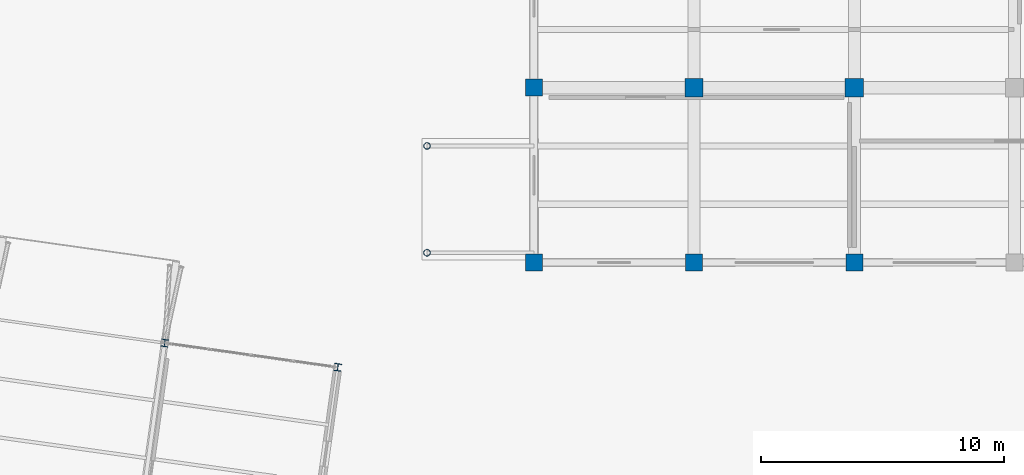
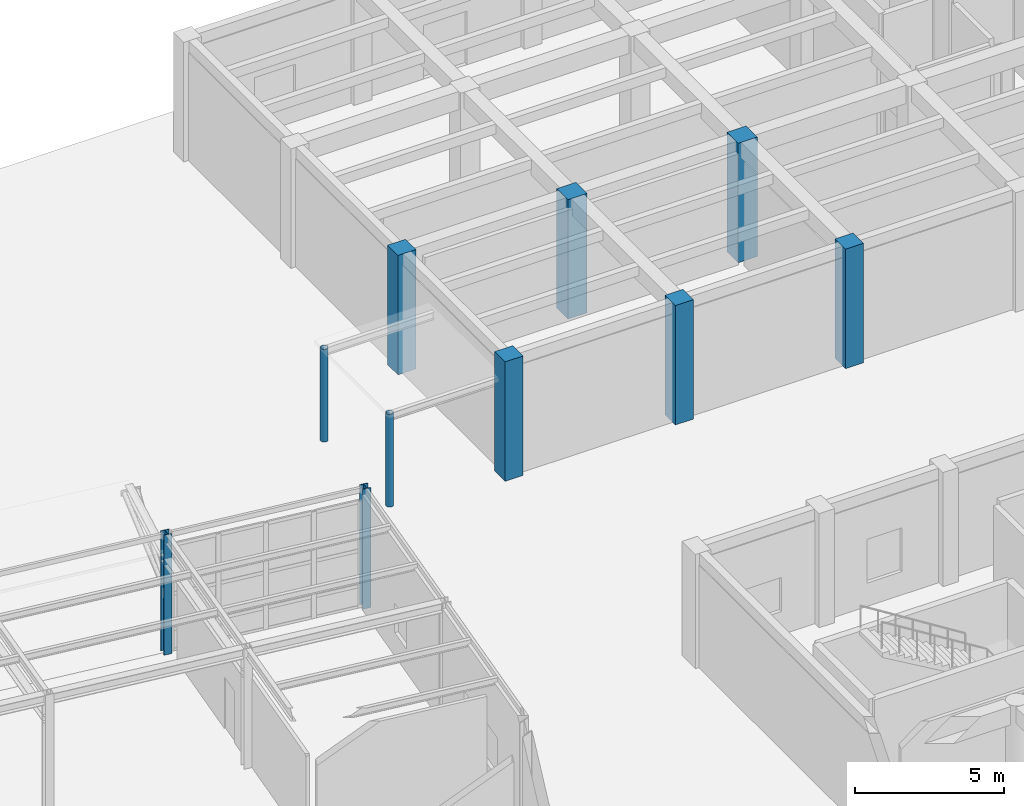
# One storey, part 9 of 57: 10 columns.
"""IFC4 building model written with IfcOpenShell, lengths in metres."""

from ifc_helpers import new_model, si_unit, direction, frame, origin, origin_2d, place, context, subcontext, project, spatial, rectangle, hollow_circle, i_section, extrude, material, material_profile, profile_set, type_object, element, save


model = new_model("IFC4")

# Units and contexts
model_context = context("Model", 3, precision=1e-05, world=origin(), true_north=direction((0.0, 1.0)))
body_context = subcontext(model_context, "Body", "Model", "MODEL_VIEW")
ifc_project = project(units=[si_unit("LENGTHUNIT", "METRE"), si_unit("AREAUNIT", "SQUARE_METRE"), si_unit("VOLUMEUNIT", "CUBIC_METRE"), si_unit("PLANEANGLEUNIT", "RADIAN"), si_unit("MASSUNIT", "GRAM", prefix="KILO")], contexts=[model_context])

# Site, building, storey
site_placement = place(None, origin())
site = spatial("IfcSite", under=ifc_project, at=site_placement, CompositionType="ELEMENT")
building_placement = place(site_placement, origin())
building = spatial("IfcBuilding", under=site, at=building_placement, Name="Kharisveld Research Institute", CompositionType="ELEMENT")
storey_placement = place(building_placement, origin())
storey = spatial("IfcBuildingStorey", under=building, at=storey_placement, Name="L00", CompositionType="ELEMENT", Elevation=0.0)

# Columns
ifc_material_1 = material(Name="Concrete C40/50", Category="concrete")
ifc_material_profile_1 = material_profile(ifc_material_1, rectangle(XDim=0.699951171875, YDim=0.699951171875, at=origin_2d()))
ifc_profile_set_1 = profile_set([ifc_material_profile_1], Name="Concrete C40/50")
column_type_1 = type_object("IfcColumnType", Name="COL_RC_700", PredefinedType="COLUMN", material=ifc_profile_set_1)
for number, where, z_axis, x_axis, name in (
    (1, (114.60009765625, 39.199951171875, 0.0), (0.0, 0.0, 1.0), (1.0, 0.0, 0.0), "COL:V2:L00:U0V0"),
    (2, (114.60009765625, 46.39990234375, 0.0), (0.0, 0.0, 1.0), (1.0, 0.0, 0.0), "COL:V2:L00:U0V1"),
    (3, (121.199951171875, 39.199951171875, 0.0), (0.0, 0.0, 1.0), (1.0, 0.0, 0.0), "COL:V2:L00:U1V0"),
    (4, (127.800048828125, 39.199951171875, 0.0), (0.0, 0.0, 1.0), (1.0, 0.0, 0.0), "COL:V2:L00:U2V0"),
):
    element("IfcColumn", number, at=place(storey_placement, frame(where, z_axis=z_axis, x_axis=x_axis)), inside=storey, type_object=column_type_1, Name=name, PredefinedType="COLUMN", context=body_context, shape_type="SweptSolid", body=[
        extrude(rectangle(XDim=0.699951171875, YDim=0.699951171875, at=origin_2d()), origin(), (0.0, 0.0, 1.0), 4.89990234375),
    ])
ifc_material_2 = material(Name="Concrete C50/60", Category="concrete")
ifc_material_profile_2 = material_profile(ifc_material_2, rectangle(XDim=0.75, YDim=0.75, at=origin_2d()))
ifc_profile_set_2 = profile_set([ifc_material_profile_2], Name="Concrete C50/60")
column_type_2 = type_object("IfcColumnType", Name="COL_RC_750", PredefinedType="COLUMN", material=ifc_profile_set_2)
for number, where, z_axis, x_axis, name in (
    (5, (121.199951171875, 46.39990234375, 0.0), (0.0, 0.0, 1.0), (1.0, 0.0, 0.0), "COL:V2:L00:U1V1"),
    (6, (127.800048828125, 46.39990234375, 0.0), (0.0, 0.0, 1.0), (1.0, 0.0, 0.0), "COL:V2:L00:U2V1"),
):
    element("IfcColumn", number, at=place(storey_placement, frame(where, z_axis=z_axis, x_axis=x_axis)), inside=storey, type_object=column_type_2, Name=name, PredefinedType="COLUMN", context=body_context, shape_type="SweptSolid", body=[
        extrude(rectangle(XDim=0.75, YDim=0.75, at=origin_2d()), origin(), (0.0, 0.0, 1.0), 4.89990234375),
    ])
ifc_material_3 = material(Name="Steel S355J2H", Category="steel")
ifc_material_profile_3 = material_profile(ifc_material_3, hollow_circle(Radius=0.136474609375, WallThickness=0.010009765625, at=origin_2d()))
ifc_profile_set_3 = profile_set([ifc_material_profile_3], Name="Steel S355J2H")
column_type_3 = type_object("IfcColumnType", Name="COL_ST_CHS273", PredefinedType="COLUMN", material=ifc_profile_set_3)
for number, where, z_axis, x_axis, name in (
    (7, (110.199951171875, 39.60009765625, 0.0), (0.0, 0.0, 1.0), (1.0, 0.0, 0.0), "PIL:ARC_E:L00:1"),
    (8, (110.199951171875, 44.0, 0.0), (0.0, 0.0, 1.0), (1.0, 0.0, 0.0), "PIL:ARC_E:L00:2"),
):
    element("IfcColumn", number, at=place(storey_placement, frame(where, z_axis=z_axis, x_axis=x_axis)), inside=storey, type_object=column_type_3, Name=name, PredefinedType="COLUMN", context=body_context, shape_type="SweptSolid", body=[
        extrude(hollow_circle(Radius=0.136474609375, WallThickness=0.010009765625, at=origin_2d()), origin(), (0.0, 0.0, 1.0), 3.800048828125),
    ])
ifc_material_4 = material(Name="Steel S355JR", Category="steel")
ifc_material_profile_4 = material_profile(ifc_material_4, i_section(OverallWidth=0.300048828125, OverallDepth=0.300048828125, WebThickness=0.010986328125, FlangeThickness=0.01904296875, at=origin_2d()))
ifc_profile_set_4 = profile_set([ifc_material_profile_4], Name="Steel S355JR")
column_type_4 = type_object("IfcColumnType", Name="COL_ST_HEB300", PredefinedType="COLUMN", material=ifc_profile_set_4)
for number, where, z_axis, x_axis, name in (
    (9, (99.39599609375, 35.883544921875, 0.0), (0.0, 0.0, 1.0), (0.990268068742, -0.13917310096, 0.0), "COL:V4:L00:U3V3"),
    (10, (106.52587890625, 34.881591796875, 0.0), (0.0, 0.0, 1.0), (0.990268068742, -0.13917310096, 0.0), "COL:V4:L00:U4V3"),
):
    element("IfcColumn", number, at=place(storey_placement, frame(where, z_axis=z_axis, x_axis=x_axis)), inside=storey, type_object=column_type_4, Name=name, PredefinedType="COLUMN", context=body_context, shape_type="SweptSolid", body=[
        extrude(i_section(OverallWidth=0.300048828125, OverallDepth=0.300048828125, WebThickness=0.010986328125, FlangeThickness=0.01904296875, at=origin_2d()), origin(), (0.0, 0.0, 1.0), 4.919921875),
    ])

save(model, "model.ifc")
